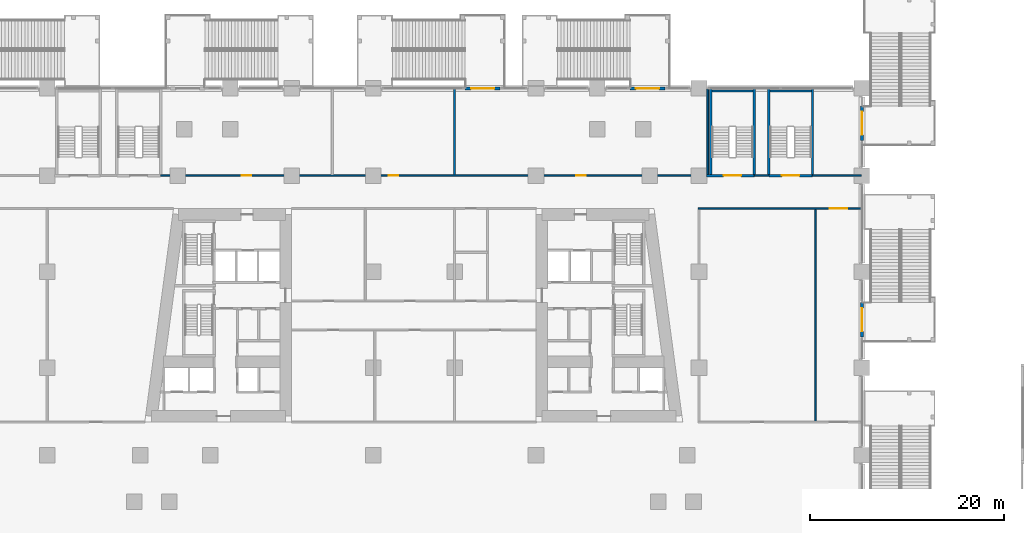
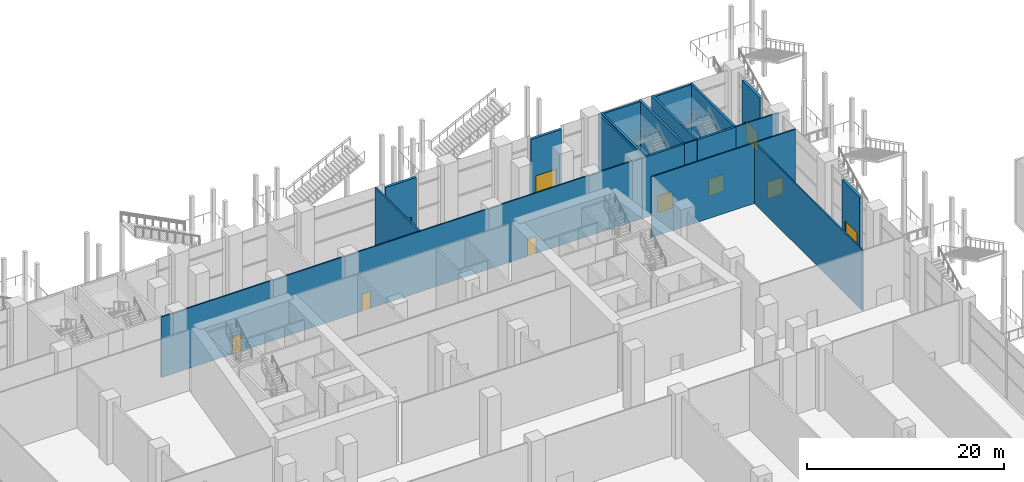
# One storey, part 30 of 52: 19 walls, 10 doors, 10 openings.
"""IFC4 building model written with IfcOpenShell, lengths in metres."""

from ifc_helpers import new_model, si_unit, direction, frame, frame_2d, origin, place, context, subcontext, project, spatial, rectangle, extrude, material, layer, layer_set, type_object, element, fill, save


model = new_model("IFC4")

# Units and contexts
model_context = context("Model", 3, precision=1e-05, world=origin(), true_north=direction((0.0, 1.0)))
body_context = subcontext(model_context, "Body", "Model", "MODEL_VIEW")
ifc_project = project(units=[si_unit("LENGTHUNIT", "METRE"), si_unit("AREAUNIT", "SQUARE_METRE"), si_unit("VOLUMEUNIT", "CUBIC_METRE"), si_unit("PLANEANGLEUNIT", "RADIAN"), si_unit("MASSUNIT", "GRAM", prefix="KILO")], contexts=[model_context])

# Site, building, storey
site_placement = place(None, origin())
site = spatial("IfcSite", under=ifc_project, at=site_placement, CompositionType="ELEMENT")
building_placement = place(site_placement, origin())
building = spatial("IfcBuilding", under=site, at=building_placement, Name="Candeia Pilgrim Tower and Theatre", CompositionType="ELEMENT")
storey_placement = place(building_placement, frame((0.0, 0.0, 9.0)))
storey = spatial("IfcBuildingStorey", under=building, at=storey_placement, Name="L01", CompositionType="ELEMENT", Elevation=9.0)

# Wall, opening, door
ifc_material_1 = material(Name="Ceramic block masonry", Category="masonry")
ifc_layer_1 = layer(ifc_material_1, 0.300048828125)
ifc_layer_set_1 = layer_set([ifc_layer_1], Name="EW2 entrance infill wall 300")
wall_type_1 = type_object("IfcWallType", Name="EW2 entrance infill wall 300", PredefinedType="SOLIDWALL", material=ifc_layer_set_1)
wall_1_placement = place(storey_placement, frame((118.699951171875, 144.800048828125, 0.0), z_axis=(0.0, 0.0, 1.0), x_axis=(1.0, 0.0, 0.0)))
wall_1 = element("IfcWall", 1, at=wall_1_placement, inside=storey, type_object=wall_type_1, Name="Entrance wall L01", PredefinedType="SOLIDWALL", context=body_context, shape_type="SweptSolid", body=[
    extrude(rectangle(XDim=3.60009765625, YDim=0.300048828125, at=frame_2d((1.800048828125, 0.0))), origin(), (0.0, 0.0, 1.0), 7.10009765625),
])
opening_1_placement = place(wall_1_placement, frame((0.60009765625, 0.0, 0.0)))
opening_1 = element("IfcOpeningElement", 2, at=opening_1_placement, cuts=wall_1, Name="Opening L01-ED035", PredefinedType="OPENING", context=body_context, shape_type="SweptSolid", body=[
    extrude(rectangle(XDim=2.39990234375, YDim=2.39990234375, at=frame_2d((1.199951171875, 1.199951171875))), frame((0.0, 0.16015625, 0.0), z_axis=(0.0, -1.0, 0.0), x_axis=(1.0, 0.0, 0.0)), (0.0, 0.0, 1.0), 0.320068359375),
])
ifc_material_2 = material(Name="Aluminium framed glazed door", Category="aluminium")
door_type_1 = type_object("IfcDoorType", Name="ED entrance double door 2400x2400", OperationType="DOUBLE_DOOR_DOUBLE_SWING", PredefinedType="DOOR", material=ifc_material_2)
door_1_placement = place(opening_1_placement, origin())
door_1 = element("IfcDoor", 3, at=door_1_placement, inside=storey, type_object=door_type_1, Name="Entrance door L01-ED035", OperationType="DOUBLE_DOOR_DOUBLE_SWING", OverallHeight=2.39990234375, OverallWidth=2.39990234375, PredefinedType="DOOR", context=body_context, shape_type="SweptSolid", body=[
    extrude(rectangle(XDim=2.39990234375, YDim=2.39990234375, at=frame_2d((1.199951171875, 1.199951171875))), frame((0.0, 0.02490234375, 0.0), z_axis=(0.0, -1.0, 0.0), x_axis=(1.0, 0.0, 0.0)), (0.0, 0.0, 1.0), 0.050048828125),
])
fill(opening_1, door_1)

wall_2_placement = place(storey_placement, frame((135.699951171875, 144.800048828125, 0.0), z_axis=(0.0, 0.0, 1.0), x_axis=(1.0, 0.0, 0.0)))
wall_2 = element("IfcWall", 4, at=wall_2_placement, inside=storey, type_object=wall_type_1, Name="Entrance wall L01", PredefinedType="SOLIDWALL", context=body_context, shape_type="SweptSolid", body=[
    extrude(rectangle(XDim=3.60009765625, YDim=0.300048828125, at=frame_2d((1.800048828125, 0.0))), origin(), (0.0, 0.0, 1.0), 7.10009765625),
])
opening_2_placement = place(wall_2_placement, frame((0.60009765625, 0.0, 0.0)))
opening_2 = element("IfcOpeningElement", 5, at=opening_2_placement, cuts=wall_2, Name="Opening L01-ED036", PredefinedType="OPENING", context=body_context, shape_type="SweptSolid", body=[
    extrude(rectangle(XDim=2.39990234375, YDim=2.39990234375, at=frame_2d((1.199951171875, 1.199951171875))), frame((0.0, 0.16015625, 0.0), z_axis=(0.0, -1.0, 0.0), x_axis=(1.0, 0.0, 0.0)), (0.0, 0.0, 1.0), 0.320068359375),
])
door_2_placement = place(opening_2_placement, origin())
door_2 = element("IfcDoor", 6, at=door_2_placement, inside=storey, type_object=door_type_1, Name="Entrance door L01-ED036", OperationType="DOUBLE_DOOR_DOUBLE_SWING", OverallHeight=2.39990234375, OverallWidth=2.39990234375, PredefinedType="DOOR", context=body_context, shape_type="SweptSolid", body=[
    extrude(rectangle(XDim=2.39990234375, YDim=2.39990234375, at=frame_2d((1.199951171875, 1.199951171875))), frame((0.0, 0.02490234375, 0.0), z_axis=(0.0, -1.0, 0.0), x_axis=(1.0, 0.0, 0.0)), (0.0, 0.0, 1.0), 0.050048828125),
])
fill(opening_2, door_2)

wall_3_placement = place(storey_placement, frame((159.60009765625, 143.0, 0.0), z_axis=(0.0, 0.0, 1.0), x_axis=(0.0, -1.0, 0.0)))
wall_3 = element("IfcWall", 7, at=wall_3_placement, inside=storey, type_object=wall_type_1, Name="Entrance wall L01", PredefinedType="SOLIDWALL", context=body_context, shape_type="SweptSolid", body=[
    extrude(rectangle(XDim=3.60009765625, YDim=0.300048828125, at=frame_2d((1.800048828125, 0.0))), origin(), (0.0, 0.0, 1.0), 7.10009765625),
])
opening_3_placement = place(wall_3_placement, frame((0.60009765625, 0.0, 0.0)))
opening_3 = element("IfcOpeningElement", 8, at=opening_3_placement, cuts=wall_3, Name="Opening L01-ED037", PredefinedType="OPENING", context=body_context, shape_type="SweptSolid", body=[
    extrude(rectangle(XDim=2.39990234375, YDim=2.39990234375, at=frame_2d((1.199951171875, 1.199951171875))), frame((0.0, 0.16015625, 0.0), z_axis=(0.0, -1.0, 0.0), x_axis=(1.0, 0.0, 0.0)), (0.0, 0.0, 1.0), 0.320068359375),
])
door_3_placement = place(opening_3_placement, origin())
door_3 = element("IfcDoor", 9, at=door_3_placement, inside=storey, type_object=door_type_1, Name="Entrance door L01-ED037", OperationType="DOUBLE_DOOR_DOUBLE_SWING", OverallHeight=2.39990234375, OverallWidth=2.39990234375, PredefinedType="DOOR", context=body_context, shape_type="SweptSolid", body=[
    extrude(rectangle(XDim=2.39990234375, YDim=2.39990234375, at=frame_2d((1.199951171875, 1.199951171875))), frame((0.0, 0.02490234375, 0.0), z_axis=(0.0, -1.0, 0.0), x_axis=(1.0, 0.0, 0.0)), (0.0, 0.0, 1.0), 0.050048828125),
])
fill(opening_3, door_3)

wall_4_placement = place(storey_placement, frame((159.60009765625, 122.75, 0.0), z_axis=(0.0, 0.0, 1.0), x_axis=(0.0, -1.0, 0.0)))
wall_4 = element("IfcWall", 10, at=wall_4_placement, inside=storey, type_object=wall_type_1, Name="Entrance wall L01", PredefinedType="SOLIDWALL", context=body_context, shape_type="SweptSolid", body=[
    extrude(rectangle(XDim=3.60009765625, YDim=0.300048828125, at=frame_2d((1.800048828125, 0.0))), origin(), (0.0, 0.0, 1.0), 7.10009765625),
])
opening_4_placement = place(wall_4_placement, frame((0.60009765625, 0.0, 0.0)))
opening_4 = element("IfcOpeningElement", 11, at=opening_4_placement, cuts=wall_4, Name="Opening L01-ED038", PredefinedType="OPENING", context=body_context, shape_type="SweptSolid", body=[
    extrude(rectangle(XDim=2.39990234375, YDim=2.39990234375, at=frame_2d((1.199951171875, 1.199951171875))), frame((0.0, 0.16015625, 0.0), z_axis=(0.0, -1.0, 0.0), x_axis=(1.0, 0.0, 0.0)), (0.0, 0.0, 1.0), 0.320068359375),
])
door_4_placement = place(opening_4_placement, origin())
door_4 = element("IfcDoor", 12, at=door_4_placement, inside=storey, type_object=door_type_1, Name="Entrance door L01-ED038", OperationType="DOUBLE_DOOR_DOUBLE_SWING", OverallHeight=2.39990234375, OverallWidth=2.39990234375, PredefinedType="DOOR", context=body_context, shape_type="SweptSolid", body=[
    extrude(rectangle(XDim=2.39990234375, YDim=2.39990234375, at=frame_2d((1.199951171875, 1.199951171875))), frame((0.0, 0.02490234375, 0.0), z_axis=(0.0, -1.0, 0.0), x_axis=(1.0, 0.0, 0.0)), (0.0, 0.0, 1.0), 0.050048828125),
])
fill(opening_4, door_4)

ifc_material_3 = material(Name="Gypsum board partition on steel studs", Category="steel")
ifc_layer_2 = layer(ifc_material_3, 0.14990234375)
ifc_layer_set_2 = layer_set([ifc_layer_2], Name="PW-150 unit wall")
wall_type_2 = type_object("IfcWallType", Name="PW-150 unit wall", PredefinedType="PARTITIONING", material=ifc_layer_set_2)
wall_5_placement = place(storey_placement, frame((142.699951171875, 132.39990234375, 0.0), z_axis=(0.0, 0.0, 1.0), x_axis=(1.0, 0.0, 0.0)))
wall_5 = element("IfcWall", 13, at=wall_5_placement, inside=storey, type_object=wall_type_2, Name="Unit wall L01-034", PredefinedType="PARTITIONING", context=body_context, shape_type="SweptSolid", body=[
    extrude(rectangle(XDim=16.85009765625, YDim=0.14990234375, at=frame_2d((8.425048828125, 0.0))), origin(), (0.0, 0.0, 1.0), 7.5),
])
opening_5_placement = place(wall_5_placement, frame((13.60009765625, 0.0, 0.0)))
opening_5 = element("IfcOpeningElement", 14, at=opening_5_placement, cuts=wall_5, Name="Opening L01-D031", PredefinedType="OPENING", context=body_context, shape_type="SweptSolid", body=[
    extrude(rectangle(XDim=1.800048828125, YDim=2.10009765625, at=frame_2d((0.89990234375, 1.050048828125))), frame((0.0, 0.0849609375, 0.0), z_axis=(0.0, -1.0, 0.0), x_axis=(1.0, 0.0, 0.0)), (0.0, 0.0, 1.0), 0.169921875),
])
ifc_material_4 = material(Name="Steel fire door set", Category="steel")
door_type_2 = type_object("IfcDoorType", Name="D-1800-FD60", OperationType="NOTDEFINED", PredefinedType="DOOR", material=ifc_material_4)
door_5_placement = place(opening_5_placement, origin())
door_5 = element("IfcDoor", 15, at=door_5_placement, inside=storey, type_object=door_type_2, Name="Door L01-D031", OperationType="SINGLE_SWING_RIGHT", OverallHeight=2.10009765625, OverallWidth=1.800048828125, PredefinedType="DOOR", context=body_context, shape_type="SweptSolid", body=[
    extrude(rectangle(XDim=1.800048828125, YDim=2.10009765625, at=frame_2d((0.89990234375, 1.050048828125))), frame((0.0, 0.02490234375, 0.0), z_axis=(0.0, -1.0, 0.0), x_axis=(1.0, 0.0, 0.0)), (0.0, 0.0, 1.0), 0.050048828125),
])
fill(opening_5, door_5)

# Wall, openings, doors
wall_6_placement = place(storey_placement, frame((87.300048828125, 135.800048828125, 0.0), z_axis=(0.0, 0.0, 1.0), x_axis=(1.0, 0.0, 0.0)))
wall_6 = element("IfcWall", 16, at=wall_6_placement, inside=storey, type_object=wall_type_2, Name="Unit wall L01-041", PredefinedType="PARTITIONING", context=body_context, shape_type="SweptSolid", body=[
    extrude(rectangle(XDim=56.27001953125, YDim=0.14990234375, at=frame_2d((28.135009765625, 0.0))), origin(), (0.0, 0.0, 1.0), 7.5),
])
opening_6_placement = place(wall_6_placement, frame((8.35009765625, 0.0, 0.0)))
opening_6 = element("IfcOpeningElement", 17, at=opening_6_placement, cuts=wall_6, Name="Opening L01-D025", PredefinedType="OPENING", context=body_context, shape_type="SweptSolid", body=[
    extrude(rectangle(XDim=1.0, YDim=2.10009765625, at=frame_2d((0.5, 1.050048828125))), frame((0.0, 0.0849609375, 0.0), z_axis=(0.0, -1.0, 0.0), x_axis=(1.0, 0.0, 0.0)), (0.0, 0.0, 1.0), 0.169921875),
])
opening_7_placement = place(wall_6_placement, frame((23.5, 0.0, 0.0)))
opening_7 = element("IfcOpeningElement", 18, at=opening_7_placement, cuts=wall_6, Name="Opening L01-D026", PredefinedType="OPENING", context=body_context, shape_type="SweptSolid", body=[
    extrude(rectangle(XDim=1.0, YDim=2.10009765625, at=frame_2d((0.5, 1.050048828125))), frame((0.0, 0.0849609375, 0.0), z_axis=(0.0, -1.0, 0.0), x_axis=(1.0, 0.0, 0.0)), (0.0, 0.0, 1.0), 0.169921875),
])
opening_8_placement = place(wall_6_placement, frame((42.85009765625, 0.0, 0.0)))
opening_8 = element("IfcOpeningElement", 19, at=opening_8_placement, cuts=wall_6, Name="Opening L01-D027", PredefinedType="OPENING", context=body_context, shape_type="SweptSolid", body=[
    extrude(rectangle(XDim=1.0, YDim=2.10009765625, at=frame_2d((0.5, 1.050048828125))), frame((0.0, 0.0849609375, 0.0), z_axis=(0.0, -1.0, 0.0), x_axis=(1.0, 0.0, 0.0)), (0.0, 0.0, 1.0), 0.169921875),
])
door_type_3 = type_object("IfcDoorType", Name="D-1000-FD30S", OperationType="NOTDEFINED", PredefinedType="DOOR", material=ifc_material_4)
door_6_placement = place(opening_6_placement, origin())
door_6 = element("IfcDoor", 20, at=door_6_placement, inside=storey, type_object=door_type_3, Name="Door L01-D025", OperationType="SINGLE_SWING_RIGHT", OverallHeight=2.10009765625, OverallWidth=1.0, PredefinedType="DOOR", context=body_context, shape_type="SweptSolid", body=[
    extrude(rectangle(XDim=1.0, YDim=2.10009765625, at=frame_2d((0.5, 1.050048828125))), frame((0.0, 0.02490234375, 0.0), z_axis=(0.0, -1.0, 0.0), x_axis=(1.0, 0.0, 0.0)), (0.0, 0.0, 1.0), 0.050048828125),
])
fill(opening_6, door_6)
door_7_placement = place(opening_7_placement, origin())
door_7 = element("IfcDoor", 21, at=door_7_placement, inside=storey, type_object=door_type_3, Name="Door L01-D026", OperationType="SINGLE_SWING_LEFT", OverallHeight=2.10009765625, OverallWidth=1.0, PredefinedType="DOOR", context=body_context, shape_type="SweptSolid", body=[
    extrude(rectangle(XDim=1.0, YDim=2.10009765625, at=frame_2d((0.5, 1.050048828125))), frame((0.0, 0.02490234375, 0.0), z_axis=(0.0, -1.0, 0.0), x_axis=(1.0, 0.0, 0.0)), (0.0, 0.0, 1.0), 0.050048828125),
])
fill(opening_7, door_7)
door_8_placement = place(opening_8_placement, origin())
door_8 = element("IfcDoor", 22, at=door_8_placement, inside=storey, type_object=door_type_3, Name="Door L01-D027", OperationType="SINGLE_SWING_RIGHT", OverallHeight=2.10009765625, OverallWidth=1.0, PredefinedType="DOOR", context=body_context, shape_type="SweptSolid", body=[
    extrude(rectangle(XDim=1.0, YDim=2.10009765625, at=frame_2d((0.5, 1.050048828125))), frame((0.0, 0.02490234375, 0.0), z_axis=(0.0, -1.0, 0.0), x_axis=(1.0, 0.0, 0.0)), (0.0, 0.0, 1.0), 0.050048828125),
])
fill(opening_8, door_8)

# Walls
wall_7_placement = place(storey_placement, frame((148.5, 135.800048828125, 0.0), z_axis=(0.0, 0.0, 1.0), x_axis=(1.0, 0.0, 0.0)))
element("IfcWall", 23, at=wall_7_placement, inside=storey, type_object=wall_type_2, Name="Unit wall L01-042", PredefinedType="PARTITIONING", context=body_context, shape_type="SweptSolid", body=[
    extrude(rectangle(XDim=1.5, YDim=0.14990234375, at=frame_2d((0.75, 0.0))), origin(), (0.0, 0.0, 1.0), 7.5),
])
wall_8_placement = place(storey_placement, frame((154.5, 135.800048828125, 0.0), z_axis=(0.0, 0.0, 1.0), x_axis=(1.0, 0.0, 0.0)))
element("IfcWall", 24, at=wall_8_placement, inside=storey, type_object=wall_type_2, Name="Unit wall L01-043", PredefinedType="PARTITIONING", context=body_context, shape_type="SweptSolid", body=[
    extrude(rectangle(XDim=5.050048828125, YDim=0.14990234375, at=frame_2d((2.52490234375, 0.0))), origin(), (0.0, 0.0, 1.0), 7.5),
])
wall_9_placement = place(storey_placement, frame((154.800048828125, 110.47509765625, 0.0), z_axis=(0.0, 0.0, 1.0), x_axis=(0.0, 1.0, 0.0)))
element("IfcWall", 25, at=wall_9_placement, inside=storey, type_object=wall_type_2, Name="Unit wall L01-103", PredefinedType="PARTITIONING", context=body_context, shape_type="SweptSolid", body=[
    extrude(rectangle(XDim=21.849853515625, YDim=0.14990234375, at=frame_2d((10.9248046875, 0.0))), origin(), (0.0, 0.0, 1.0), 7.5),
])
ifc_layer_3 = layer(ifc_material_3, 0.199951171875)
ifc_layer_set_3 = layer_set([ifc_layer_3], Name="PW-200 party wall")
wall_type_3 = type_object("IfcWallType", Name="PW-200 party wall", PredefinedType="PARTITIONING", material=ifc_layer_set_3)
for number, where, z_axis, x_axis, name in (
    (26, (117.60009765625, 135.875, 0.0), (0.0, 0.0, 1.0), (0.0, 1.0, 0.0), "Party wall L01-074"),
    (27, (143.699951171875, 135.875, 0.0), (0.0, 0.0, 1.0), (0.0, 1.0, 0.0), "Party wall L01-097"),
):
    element("IfcWall", number, at=place(storey_placement, frame(where, z_axis=z_axis, x_axis=x_axis)), inside=storey, type_object=wall_type_3, Name=name, PredefinedType="PARTITIONING", context=body_context, shape_type="SweptSolid", body=[
        extrude(rectangle(XDim=8.875, YDim=0.199951171875, at=frame_2d((4.4375, 0.0))), origin(), (0.0, 0.0, 1.0), 7.5),
    ])

# Wall, opening, door
ifc_material_5 = material(Name="Concrete C40/50", Category="concrete")
ifc_layer_4 = layer(ifc_material_5, 0.25)
ifc_layer_set_4 = layer_set([ifc_layer_4], Name="SW-250 stair wall")
wall_type_4 = type_object("IfcWallType", Name="SW-250 stair wall", PredefinedType="PARTITIONING", material=ifc_layer_set_4)
wall_10_placement = place(storey_placement, frame((143.570068359375, 135.800048828125, 0.0), z_axis=(0.0, 0.0, 1.0), x_axis=(1.0, 0.0, 0.0)))
wall_10 = element("IfcWall", 28, at=wall_10_placement, inside=storey, type_object=wall_type_4, Name="Stair wall L01-037", PredefinedType="PARTITIONING", context=body_context, shape_type="SweptSolid", body=[
    extrude(rectangle(XDim=4.929931640625, YDim=0.25, at=frame_2d((2.46484375, 0.0))), origin(), (0.0, 0.0, 1.0), 7.5),
])
opening_9_placement = place(wall_10_placement, frame((1.780029296875, 0.0, 0.0)))
opening_9 = element("IfcOpeningElement", 29, at=opening_9_placement, cuts=wall_10, Name="Opening L01-D022", PredefinedType="OPENING", context=body_context, shape_type="SweptSolid", body=[
    extrude(rectangle(XDim=1.800048828125, YDim=2.10009765625, at=frame_2d((0.89990234375, 1.050048828125))), frame((0.0, 0.135009765625, 0.0), z_axis=(0.0, -1.0, 0.0), x_axis=(1.0, 0.0, 0.0)), (0.0, 0.0, 1.0), 0.27001953125),
])
ifc_material_6 = material(Name="Steel exit door", Category="steel")
door_type_4 = type_object("IfcDoorType", Name="DX-1800-FD60", OperationType="NOTDEFINED", PredefinedType="DOOR", material=ifc_material_6)
door_9_placement = place(opening_9_placement, origin())
door_9 = element("IfcDoor", 30, at=door_9_placement, inside=storey, type_object=door_type_4, Name="Door L01-D022", OperationType="SINGLE_SWING_LEFT", OverallHeight=2.10009765625, OverallWidth=1.800048828125, PredefinedType="DOOR", context=body_context, shape_type="SweptSolid", body=[
    extrude(rectangle(XDim=1.800048828125, YDim=2.10009765625, at=frame_2d((0.89990234375, 1.050048828125))), frame((0.0, 0.02490234375, 0.0), z_axis=(0.0, -1.0, 0.0), x_axis=(1.0, 0.0, 0.0)), (0.0, 0.0, 1.0), 0.050048828125),
])
fill(opening_9, door_9)

wall_11_placement = place(storey_placement, frame((150.0, 135.800048828125, 0.0), z_axis=(0.0, 0.0, 1.0), x_axis=(1.0, 0.0, 0.0)))
wall_11 = element("IfcWall", 31, at=wall_11_placement, inside=storey, type_object=wall_type_4, Name="Stair wall L01-038", PredefinedType="PARTITIONING", context=body_context, shape_type="SweptSolid", body=[
    extrude(rectangle(XDim=4.5, YDim=0.25, at=frame_2d((2.25, 0.0))), origin(), (0.0, 0.0, 1.0), 7.5),
])
opening_10_placement = place(wall_11_placement, frame((1.35009765625, 0.0, 0.0)))
opening_10 = element("IfcOpeningElement", 32, at=opening_10_placement, cuts=wall_11, Name="Opening L01-D023", PredefinedType="OPENING", context=body_context, shape_type="SweptSolid", body=[
    extrude(rectangle(XDim=1.800048828125, YDim=2.10009765625, at=frame_2d((0.89990234375, 1.050048828125))), frame((0.0, 0.135009765625, 0.0), z_axis=(0.0, -1.0, 0.0), x_axis=(1.0, 0.0, 0.0)), (0.0, 0.0, 1.0), 0.27001953125),
])
door_10_placement = place(opening_10_placement, origin())
door_10 = element("IfcDoor", 33, at=door_10_placement, inside=storey, type_object=door_type_4, Name="Door L01-D023", OperationType="SINGLE_SWING_RIGHT", OverallHeight=2.10009765625, OverallWidth=1.800048828125, PredefinedType="DOOR", context=body_context, shape_type="SweptSolid", body=[
    extrude(rectangle(XDim=1.800048828125, YDim=2.10009765625, at=frame_2d((0.89990234375, 1.050048828125))), frame((0.0, 0.02490234375, 0.0), z_axis=(0.0, -1.0, 0.0), x_axis=(1.0, 0.0, 0.0)), (0.0, 0.0, 1.0), 0.050048828125),
])
fill(opening_10, door_10)

# Walls
for number, where, z_axis, x_axis, name in (
    (34, (144.0, 135.925048828125, 0.0), (0.0, 0.0, 1.0), (0.0, 1.0, 0.0), "Stair wall L01-098"),
    (35, (148.5, 135.925048828125, 0.0), (0.0, 0.0, 1.0), (0.0, 1.0, 0.0), "Stair wall L01-099"),
    (36, (150.0, 135.925048828125, 0.0), (0.0, 0.0, 1.0), (0.0, 1.0, 0.0), "Stair wall L01-100"),
    (37, (154.5, 135.925048828125, 0.0), (0.0, 0.0, 1.0), (0.0, 1.0, 0.0), "Stair wall L01-102"),
):
    element("IfcWall", number, at=place(storey_placement, frame(where, z_axis=z_axis, x_axis=x_axis)), inside=storey, type_object=wall_type_4, Name=name, PredefinedType="PARTITIONING", context=body_context, shape_type="SweptSolid", body=[
        extrude(rectangle(XDim=8.824951171875, YDim=0.25, at=frame_2d((4.41259765625, 0.0))), origin(), (0.0, 0.0, 1.0), 7.5),
    ])
for number, where, z_axis, x_axis, name in (
    (38, (144.125, 144.53759765625, 0.0), (0.0, 0.0, 1.0), (1.0, 0.0, 0.0), "Stair back wall PS3 L01"),
    (39, (150.125, 144.53759765625, 0.0), (0.0, 0.0, 1.0), (1.0, 0.0, 0.0), "Stair back wall PS4 L01"),
):
    element("IfcWall", number, at=place(storey_placement, frame(where, z_axis=z_axis, x_axis=x_axis)), inside=storey, type_object=wall_type_4, Name=name, PredefinedType="PARTITIONING", context=body_context, shape_type="SweptSolid", body=[
        extrude(rectangle(XDim=4.25, YDim=0.22509765625, at=frame_2d((2.125, 0.0))), origin(), (0.0, 0.0, 1.0), 7.5),
    ])

save(model, "model.ifc")
